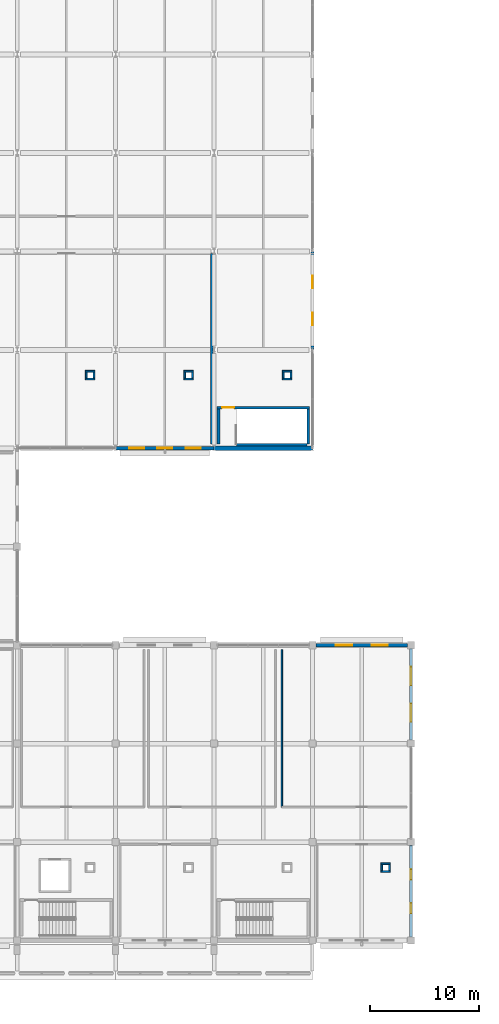
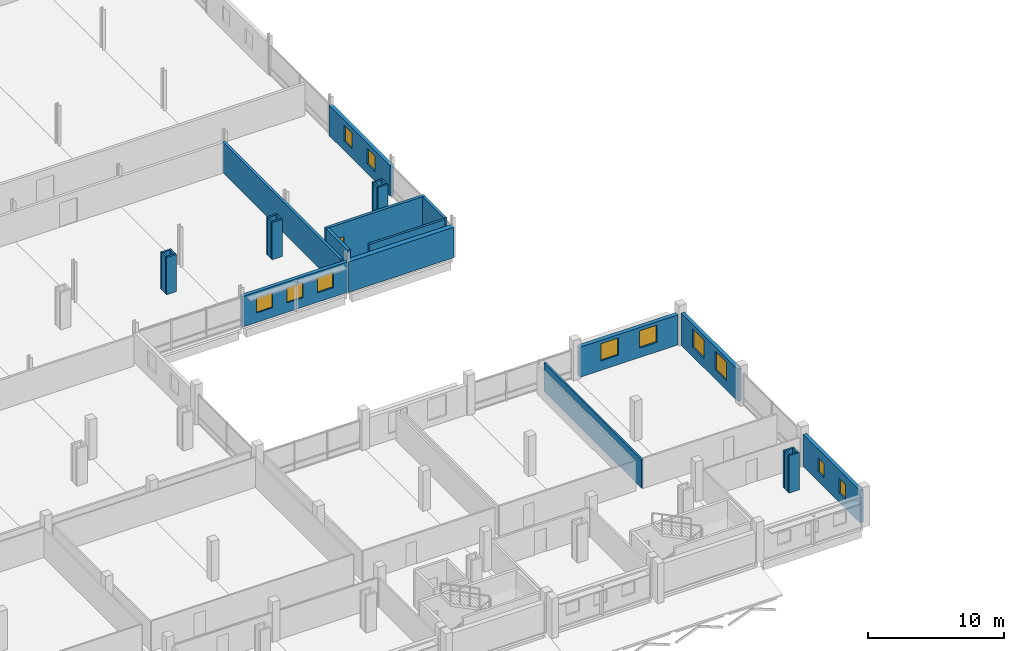
# One storey, part 105 of 132: 28 walls, 11 windows, 1 door, 12 openings.
"""IFC4 building model written with IfcOpenShell, lengths in metres."""

from ifc_helpers import new_model, si_unit, direction, frame, frame_2d, origin, place, context, subcontext, project, spatial, rectangle, extrude, material, layer, layer_set, type_object, element, fill, save


model = new_model("IFC4")

# Units and contexts
model_context = context("Model", 3, precision=1e-05, world=origin(), true_north=direction((0.0, 1.0)))
body_context = subcontext(model_context, "Body", "Model", "MODEL_VIEW")
ifc_project = project(units=[si_unit("LENGTHUNIT", "METRE"), si_unit("AREAUNIT", "SQUARE_METRE"), si_unit("VOLUMEUNIT", "CUBIC_METRE"), si_unit("PLANEANGLEUNIT", "RADIAN"), si_unit("MASSUNIT", "GRAM", prefix="KILO")], contexts=[model_context])

# Site, building, storey
site_placement = place(None, origin())
site = spatial("IfcSite", under=ifc_project, at=site_placement, CompositionType="ELEMENT")
building_placement = place(site_placement, origin())
building = spatial("IfcBuilding", under=site, at=building_placement, Name="Tharagai Park Tramway Depot", CompositionType="ELEMENT")
storey_placement = place(building_placement, frame((0.0, 0.0, 4.800048828125)))
storey = spatial("IfcBuildingStorey", under=building, at=storey_placement, Name="L01", CompositionType="ELEMENT", Elevation=4.800048828125)

# Wall, openings, windows
ifc_material_1 = material(Name="Pressed clay brick", Category="masonry")
ifc_layer_1 = layer(ifc_material_1, 0.340087890625)
ifc_layer_set_1 = layer_set([ifc_layer_1], Name="Pressed clay brick")
wall_type_1 = type_object("IfcWallType", Name="EW-04", PredefinedType="SOLIDWALL", material=ifc_layer_set_1)
wall_1_placement = place(storey_placement, frame((90.322998046875, 27.0, 0.0), z_axis=(0.0, 0.0, 1.0), x_axis=(1.0, 0.0, 0.0)))
wall_1 = element("IfcWall", 1, at=wall_1_placement, inside=storey, type_object=wall_type_1, Name="L01 V4 Exterior Masonry Wall EW-04", PredefinedType="SOLIDWALL", context=body_context, shape_type="SweptSolid", body=[
    extrude(rectangle(XDim=8.35400390625, YDim=0.340087890625, at=frame_2d((4.177001953125, 0.0))), origin(), (0.0, 0.0, 1.0), 2.701904296875),
])
opening_1_placement = place(wall_1_placement, frame((1.784912109375, 0.0, 0.85009765625)))
opening_1 = element("IfcOpeningElement", 2, at=opening_1_placement, cuts=wall_1, Name="Opening WN-20", PredefinedType="OPENING", context=body_context, shape_type="SweptSolid", body=[
    extrude(rectangle(XDim=1.5, YDim=1.550048828125, at=frame_2d((0.75, 0.77490234375))), frame((0.0, 0.179931640625, 0.0), z_axis=(0.0, -1.0, 0.0), x_axis=(1.0, 0.0, 0.0)), (0.0, 0.0, 1.0), 0.360107421875),
])
opening_2_placement = place(wall_1_placement, frame((5.069091796875, 0.0, 0.85009765625)))
opening_2 = element("IfcOpeningElement", 3, at=opening_2_placement, cuts=wall_1, Name="Opening WN-20", PredefinedType="OPENING", context=body_context, shape_type="SweptSolid", body=[
    extrude(rectangle(XDim=1.5, YDim=1.550048828125, at=frame_2d((0.75, 0.77490234375))), frame((0.0, 0.179931640625, 0.0), z_axis=(0.0, -1.0, 0.0), x_axis=(1.0, 0.0, 0.0)), (0.0, 0.0, 1.0), 0.360107421875),
])
ifc_material_2 = material(Name="Laminated solar-control glass", Category="glass")
window_type_1 = type_object("IfcWindowType", Name="WN-20", PartitioningType="SINGLE_PANEL", PredefinedType="WINDOW", material=ifc_material_2)
window_1_placement = place(opening_1_placement, origin())
window_1 = element("IfcWindow", 4, at=window_1_placement, inside=storey, type_object=window_type_1, Name="L01 V4 Gothic Lancet Window WN-20", OverallHeight=1.550048828125, OverallWidth=1.5, PartitioningType="SINGLE_PANEL", PredefinedType="WINDOW", context=body_context, shape_type="SweptSolid", body=[
    extrude(rectangle(XDim=1.5, YDim=1.550048828125, at=frame_2d((0.75, 0.77490234375))), frame((0.0, 0.030029296875, 0.0), z_axis=(0.0, -1.0, 0.0), x_axis=(1.0, 0.0, 0.0)), (0.0, 0.0, 1.0), 0.06005859375),
])
fill(opening_1, window_1)
window_2_placement = place(opening_2_placement, origin())
window_2 = element("IfcWindow", 5, at=window_2_placement, inside=storey, type_object=window_type_1, Name="L01 V4 Gothic Lancet Window WN-20", OverallHeight=1.550048828125, OverallWidth=1.5, PartitioningType="SINGLE_PANEL", PredefinedType="WINDOW", context=body_context, shape_type="SweptSolid", body=[
    extrude(rectangle(XDim=1.5, YDim=1.550048828125, at=frame_2d((0.75, 0.77490234375))), frame((0.0, 0.030029296875, 0.0), z_axis=(0.0, -1.0, 0.0), x_axis=(1.0, 0.0, 0.0)), (0.0, 0.0, 1.0), 0.06005859375),
])
fill(opening_2, window_2)

# Wall
ifc_material_3 = material(Name="Charnockite stone", Category="masonry")
ifc_layer_2 = layer(ifc_material_3, 0.419921875)
ifc_layer_set_2 = layer_set([ifc_layer_2], Name="Charnockite stone")
wall_type_2 = type_object("IfcWallType", Name="EW-07", PredefinedType="SOLIDWALL", material=ifc_layer_set_2)
wall_2_placement = place(storey_placement, frame((81.00390625, 45.0, 0.0), z_axis=(0.0, 0.0, 1.0), x_axis=(1.0, 0.0, 0.0)))
element("IfcWall", 6, at=wall_2_placement, inside=storey, type_object=wall_type_2, Name="L01 V2 Exterior Masonry Wall EW-07", PredefinedType="SOLIDWALL", context=body_context, shape_type="SweptSolid", body=[
    extrude(rectangle(XDim=8.9921875, YDim=0.419921875, at=frame_2d((4.49609375, 0.0))), origin(), (0.0, 0.0, 1.0), 2.741943359375),
])

# Wall, openings, windows
ifc_layer_3 = layer(ifc_material_1, 0.300048828125)
ifc_layer_set_3 = layer_set([ifc_layer_3], Name="Pressed clay brick")
wall_type_3 = type_object("IfcWallType", Name="EW-08", PredefinedType="SOLIDWALL", material=ifc_layer_set_3)
wall_3_placement = place(storey_placement, frame((72.00390625, 45.0, 0.0), z_axis=(0.0, 0.0, 1.0), x_axis=(1.0, 0.0, 0.0)))
wall_3 = element("IfcWall", 7, at=wall_3_placement, inside=storey, type_object=wall_type_3, Name="L01 V2 Exterior Masonry Wall EW-08", PredefinedType="SOLIDWALL", context=body_context, shape_type="SweptSolid", body=[
    extrude(rectangle(XDim=8.9921875, YDim=0.300048828125, at=frame_2d((4.49609375, 0.0))), origin(), (0.0, 0.0, 1.0), 2.741943359375),
])
opening_3_placement = place(wall_3_placement, frame((1.22802734375, 0.0, 0.85009765625)))
opening_3 = element("IfcOpeningElement", 8, at=opening_3_placement, cuts=wall_3, Name="Opening WN-41", PredefinedType="OPENING", context=body_context, shape_type="SweptSolid", body=[
    extrude(rectangle(XDim=1.360107421875, YDim=1.3798828125, at=frame_2d((0.68017578125, 0.68994140625))), frame((0.0, 0.159912109375, 0.0), z_axis=(0.0, -1.0, 0.0), x_axis=(1.0, 0.0, 0.0)), (0.0, 0.0, 1.0), 0.320068359375),
])
opening_4_placement = place(wall_3_placement, frame((3.81591796875, 0.0, 0.85009765625)))
opening_4 = element("IfcOpeningElement", 9, at=opening_4_placement, cuts=wall_3, Name="Opening WN-41", PredefinedType="OPENING", context=body_context, shape_type="SweptSolid", body=[
    extrude(rectangle(XDim=1.360107421875, YDim=1.3798828125, at=frame_2d((0.68017578125, 0.68994140625))), frame((0.0, 0.159912109375, 0.0), z_axis=(0.0, -1.0, 0.0), x_axis=(1.0, 0.0, 0.0)), (0.0, 0.0, 1.0), 0.320068359375),
])
opening_5_placement = place(wall_3_placement, frame((6.404052734375, 0.0, 0.85009765625)))
opening_5 = element("IfcOpeningElement", 10, at=opening_5_placement, cuts=wall_3, Name="Opening WN-41", PredefinedType="OPENING", context=body_context, shape_type="SweptSolid", body=[
    extrude(rectangle(XDim=1.360107421875, YDim=1.3798828125, at=frame_2d((0.68017578125, 0.68994140625))), frame((0.0, 0.159912109375, 0.0), z_axis=(0.0, -1.0, 0.0), x_axis=(1.0, 0.0, 0.0)), (0.0, 0.0, 1.0), 0.320068359375),
])
window_type_2 = type_object("IfcWindowType", Name="WN-41", PartitioningType="SINGLE_PANEL", PredefinedType="WINDOW", material=ifc_material_2)
window_3_placement = place(opening_3_placement, origin())
window_3 = element("IfcWindow", 11, at=window_3_placement, inside=storey, type_object=window_type_2, Name="L01 V2 Gothic Lancet Window WN-41", OverallHeight=1.3798828125, OverallWidth=1.360107421875, PartitioningType="SINGLE_PANEL", PredefinedType="WINDOW", context=body_context, shape_type="SweptSolid", body=[
    extrude(rectangle(XDim=1.360107421875, YDim=1.3798828125, at=frame_2d((0.68017578125, 0.68994140625))), frame((0.0, 0.030029296875, 0.0), z_axis=(0.0, -1.0, 0.0), x_axis=(1.0, 0.0, 0.0)), (0.0, 0.0, 1.0), 0.06005859375),
])
fill(opening_3, window_3)
window_4_placement = place(opening_4_placement, origin())
window_4 = element("IfcWindow", 12, at=window_4_placement, inside=storey, type_object=window_type_2, Name="L01 V2 Gothic Lancet Window WN-41", OverallHeight=1.3798828125, OverallWidth=1.360107421875, PartitioningType="SINGLE_PANEL", PredefinedType="WINDOW", context=body_context, shape_type="SweptSolid", body=[
    extrude(rectangle(XDim=1.360107421875, YDim=1.3798828125, at=frame_2d((0.68017578125, 0.68994140625))), frame((0.0, 0.030029296875, 0.0), z_axis=(0.0, -1.0, 0.0), x_axis=(1.0, 0.0, 0.0)), (0.0, 0.0, 1.0), 0.06005859375),
])
fill(opening_4, window_4)
window_5_placement = place(opening_5_placement, origin())
window_5 = element("IfcWindow", 13, at=window_5_placement, inside=storey, type_object=window_type_2, Name="L01 V2 Gothic Lancet Window WN-41", OverallHeight=1.3798828125, OverallWidth=1.360107421875, PartitioningType="SINGLE_PANEL", PredefinedType="WINDOW", context=body_context, shape_type="SweptSolid", body=[
    extrude(rectangle(XDim=1.360107421875, YDim=1.3798828125, at=frame_2d((0.68017578125, 0.68994140625))), frame((0.0, 0.030029296875, 0.0), z_axis=(0.0, -1.0, 0.0), x_axis=(1.0, 0.0, 0.0)), (0.0, 0.0, 1.0), 0.06005859375),
])
fill(opening_5, window_5)

wall_4_placement = place(storey_placement, frame((90.0, 54.00390625, 0.0), z_axis=(0.0, 0.0, 1.0), x_axis=(0.0, 1.0, 0.0)))
wall_4 = element("IfcWall", 14, at=wall_4_placement, inside=storey, type_object=wall_type_3, Name="L01 V2 Exterior Masonry Wall EW-08", PredefinedType="SOLIDWALL", context=body_context, shape_type="SweptSolid", body=[
    extrude(rectangle(XDim=8.9921875, YDim=0.300048828125, at=frame_2d((4.49609375, 0.0))), origin(), (0.0, 0.0, 1.0), 2.741943359375),
])
opening_6_placement = place(wall_4_placement, frame((2.22412109375, 0.0, 0.85009765625)))
opening_6 = element("IfcOpeningElement", 15, at=opening_6_placement, cuts=wall_4, Name="Opening WN-42", PredefinedType="OPENING", context=body_context, shape_type="SweptSolid", body=[
    extrude(rectangle(XDim=1.159912109375, YDim=1.39990234375, at=frame_2d((0.580078125, 0.699951171875))), frame((0.0, 0.159912109375, 0.0), z_axis=(0.0, -1.0, 0.0), x_axis=(1.0, 0.0, 0.0)), (0.0, 0.0, 1.0), 0.320068359375),
])
opening_7_placement = place(wall_4_placement, frame((5.60791015625, 0.0, 0.85009765625)))
opening_7 = element("IfcOpeningElement", 16, at=opening_7_placement, cuts=wall_4, Name="Opening WN-42", PredefinedType="OPENING", context=body_context, shape_type="SweptSolid", body=[
    extrude(rectangle(XDim=1.159912109375, YDim=1.39990234375, at=frame_2d((0.580078125, 0.699951171875))), frame((0.0, 0.159912109375, 0.0), z_axis=(0.0, -1.0, 0.0), x_axis=(1.0, 0.0, 0.0)), (0.0, 0.0, 1.0), 0.320068359375),
])
window_type_3 = type_object("IfcWindowType", Name="WN-42", PartitioningType="SINGLE_PANEL", PredefinedType="WINDOW", material=ifc_material_2)
window_6_placement = place(opening_6_placement, origin())
window_6 = element("IfcWindow", 17, at=window_6_placement, inside=storey, type_object=window_type_3, Name="L01 V2 Side Lancet Window WN-42", OverallHeight=1.39990234375, OverallWidth=1.159912109375, PartitioningType="SINGLE_PANEL", PredefinedType="WINDOW", context=body_context, shape_type="SweptSolid", body=[
    extrude(rectangle(XDim=1.159912109375, YDim=1.39990234375, at=frame_2d((0.580078125, 0.699951171875))), frame((0.0, 0.030029296875, 0.0), z_axis=(0.0, -1.0, 0.0), x_axis=(1.0, 0.0, 0.0)), (0.0, 0.0, 1.0), 0.06005859375),
])
fill(opening_6, window_6)
window_7_placement = place(opening_7_placement, origin())
window_7 = element("IfcWindow", 18, at=window_7_placement, inside=storey, type_object=window_type_3, Name="L01 V2 Side Lancet Window WN-42", OverallHeight=1.39990234375, OverallWidth=1.159912109375, PartitioningType="SINGLE_PANEL", PredefinedType="WINDOW", context=body_context, shape_type="SweptSolid", body=[
    extrude(rectangle(XDim=1.159912109375, YDim=1.39990234375, at=frame_2d((0.580078125, 0.699951171875))), frame((0.0, 0.030029296875, 0.0), z_axis=(0.0, -1.0, 0.0), x_axis=(1.0, 0.0, 0.0)), (0.0, 0.0, 1.0), 0.06005859375),
])
fill(opening_7, window_7)

wall_5_placement = place(storey_placement, frame((99.0, 0.322998046875, 0.0), z_axis=(0.0, 0.0, 1.0), x_axis=(0.0, 1.0, 0.0)))
wall_5 = element("IfcWall", 19, at=wall_5_placement, inside=storey, type_object=wall_type_3, Name="L01 V4 Exterior Masonry Wall EW-08", PredefinedType="SOLIDWALL", context=body_context, shape_type="SweptSolid", body=[
    extrude(rectangle(XDim=8.35400390625, YDim=0.300048828125, at=frame_2d((4.177001953125, 0.0))), origin(), (0.0, 0.0, 1.0), 2.90185546875),
])
opening_8_placement = place(wall_5_placement, frame((2.157958984375, 0.0, 0.85009765625)))
opening_8 = element("IfcOpeningElement", 20, at=opening_8_placement, cuts=wall_5, Name="Opening WN-45", PredefinedType="OPENING", context=body_context, shape_type="SweptSolid", body=[
    extrude(rectangle(XDim=0.93994140625, YDim=1.280029296875, at=frame_2d((0.469970703125, 0.64013671875))), frame((0.0, 0.159912109375, 0.0), z_axis=(0.0, -1.0, 0.0), x_axis=(1.0, 0.0, 0.0)), (0.0, 0.0, 1.0), 0.320068359375),
])
opening_9_placement = place(wall_5_placement, frame((5.256103515625, 0.0, 0.85009765625)))
opening_9 = element("IfcOpeningElement", 21, at=opening_9_placement, cuts=wall_5, Name="Opening WN-45", PredefinedType="OPENING", context=body_context, shape_type="SweptSolid", body=[
    extrude(rectangle(XDim=0.93994140625, YDim=1.280029296875, at=frame_2d((0.469970703125, 0.64013671875))), frame((0.0, 0.159912109375, 0.0), z_axis=(0.0, -1.0, 0.0), x_axis=(1.0, 0.0, 0.0)), (0.0, 0.0, 1.0), 0.320068359375),
])
window_type_4 = type_object("IfcWindowType", Name="WN-45", PartitioningType="SINGLE_PANEL", PredefinedType="WINDOW", material=ifc_material_2)
window_8_placement = place(opening_8_placement, origin())
window_8 = element("IfcWindow", 22, at=window_8_placement, inside=storey, type_object=window_type_4, Name="L01 V4 Side Lancet Window WN-45", OverallHeight=1.280029296875, OverallWidth=0.93994140625, PartitioningType="SINGLE_PANEL", PredefinedType="WINDOW", context=body_context, shape_type="SweptSolid", body=[
    extrude(rectangle(XDim=0.93994140625, YDim=1.280029296875, at=frame_2d((0.469970703125, 0.64013671875))), frame((0.0, 0.030029296875, 0.0), z_axis=(0.0, -1.0, 0.0), x_axis=(1.0, 0.0, 0.0)), (0.0, 0.0, 1.0), 0.06005859375),
])
fill(opening_8, window_8)
window_9_placement = place(opening_9_placement, origin())
window_9 = element("IfcWindow", 23, at=window_9_placement, inside=storey, type_object=window_type_4, Name="L01 V4 Side Lancet Window WN-45", OverallHeight=1.280029296875, OverallWidth=0.93994140625, PartitioningType="SINGLE_PANEL", PredefinedType="WINDOW", context=body_context, shape_type="SweptSolid", body=[
    extrude(rectangle(XDim=0.93994140625, YDim=1.280029296875, at=frame_2d((0.469970703125, 0.64013671875))), frame((0.0, 0.030029296875, 0.0), z_axis=(0.0, -1.0, 0.0), x_axis=(1.0, 0.0, 0.0)), (0.0, 0.0, 1.0), 0.06005859375),
])
fill(opening_9, window_9)

wall_6_placement = place(storey_placement, frame((99.0, 18.322998046875, 0.0), z_axis=(0.0, 0.0, 1.0), x_axis=(0.0, 1.0, 0.0)))
wall_6 = element("IfcWall", 24, at=wall_6_placement, inside=storey, type_object=wall_type_3, Name="L01 V4 Exterior Masonry Wall EW-08", PredefinedType="SOLIDWALL", context=body_context, shape_type="SweptSolid", body=[
    extrude(rectangle(XDim=8.35400390625, YDim=0.300048828125, at=frame_2d((4.177001953125, 0.0))), origin(), (0.0, 0.0, 1.0), 2.90185546875),
])
opening_10_placement = place(wall_6_placement, frame((1.6650390625, 0.0, 0.85009765625)))
opening_10 = element("IfcOpeningElement", 25, at=opening_10_placement, cuts=wall_6, Name="Opening WN-38", PredefinedType="OPENING", context=body_context, shape_type="SweptSolid", body=[
    extrude(rectangle(XDim=1.679931640625, YDim=1.659912109375, at=frame_2d((0.83984375, 0.830078125))), frame((0.0, 0.159912109375, 0.0), z_axis=(0.0, -1.0, 0.0), x_axis=(1.0, 0.0, 0.0)), (0.0, 0.0, 1.0), 0.320068359375),
])
opening_11_placement = place(wall_6_placement, frame((5.009033203125, 0.0, 0.85009765625)))
opening_11 = element("IfcOpeningElement", 26, at=opening_11_placement, cuts=wall_6, Name="Opening WN-38", PredefinedType="OPENING", context=body_context, shape_type="SweptSolid", body=[
    extrude(rectangle(XDim=1.679931640625, YDim=1.659912109375, at=frame_2d((0.83984375, 0.830078125))), frame((0.0, 0.159912109375, 0.0), z_axis=(0.0, -1.0, 0.0), x_axis=(1.0, 0.0, 0.0)), (0.0, 0.0, 1.0), 0.320068359375),
])
window_type_5 = type_object("IfcWindowType", Name="WN-38", PartitioningType="SINGLE_PANEL", PredefinedType="WINDOW", material=ifc_material_2)
window_10_placement = place(opening_10_placement, origin())
window_10 = element("IfcWindow", 27, at=window_10_placement, inside=storey, type_object=window_type_5, Name="L01 V4 Side Lancet Window WN-38", OverallHeight=1.659912109375, OverallWidth=1.679931640625, PartitioningType="SINGLE_PANEL", PredefinedType="WINDOW", context=body_context, shape_type="SweptSolid", body=[
    extrude(rectangle(XDim=1.679931640625, YDim=1.659912109375, at=frame_2d((0.83984375, 0.830078125))), frame((0.0, 0.030029296875, 0.0), z_axis=(0.0, -1.0, 0.0), x_axis=(1.0, 0.0, 0.0)), (0.0, 0.0, 1.0), 0.06005859375),
])
fill(opening_10, window_10)
window_11_placement = place(opening_11_placement, origin())
window_11 = element("IfcWindow", 28, at=window_11_placement, inside=storey, type_object=window_type_5, Name="L01 V4 Side Lancet Window WN-38", OverallHeight=1.659912109375, OverallWidth=1.679931640625, PartitioningType="SINGLE_PANEL", PredefinedType="WINDOW", context=body_context, shape_type="SweptSolid", body=[
    extrude(rectangle(XDim=1.679931640625, YDim=1.659912109375, at=frame_2d((0.83984375, 0.830078125))), frame((0.0, 0.030029296875, 0.0), z_axis=(0.0, -1.0, 0.0), x_axis=(1.0, 0.0, 0.0)), (0.0, 0.0, 1.0), 0.06005859375),
])
fill(opening_11, window_11)

# Walls
ifc_layer_4 = layer(ifc_material_1, 0.139892578125)
ifc_layer_set_4 = layer_set([ifc_layer_4], Name="Pressed clay brick")
wall_type_4 = type_object("IfcWallType", Name="IW-01", PredefinedType="PARTITIONING", material=ifc_layer_set_4)
wall_7_placement = place(storey_placement, frame((87.199951171875, 12.199951171875, 0.0), z_axis=(0.0, 0.0, 1.0), x_axis=(0.0, 1.0, 0.0)))
element("IfcWall", 29, at=wall_7_placement, inside=storey, type_object=wall_type_4, Name="First Floor Accessible WC Partition West", PredefinedType="PARTITIONING", context=body_context, shape_type="SweptSolid", body=[
    extrude(rectangle(XDim=14.400146484375, YDim=0.139892578125, at=frame_2d((7.2001953125, 0.0))), origin(), (0.0, 0.0, 1.0), 2.594970703125),
])
ifc_layer_5 = layer(ifc_material_1, 0.159912109375)
ifc_layer_set_5 = layer_set([ifc_layer_5], Name="Pressed clay brick")
wall_type_5 = type_object("IfcWallType", Name="IW-02", PredefinedType="PARTITIONING", material=ifc_layer_set_5)
for number, where, z_axis, x_axis, name in (
    (30, (69.239990234375, 51.320068359375, 0.0), (0.0, 0.0, 1.0), (1.0, 0.0, 0.0), "L01 Pipe Riser Enclosure Wall 7 S"),
    (31, (69.239990234375, 52.030029296875, 0.0), (0.0, 0.0, 1.0), (1.0, 0.0, 0.0), "L01 Pipe Riser Enclosure Wall 7 N"),
):
    element("IfcWall", number, at=place(storey_placement, frame(where, z_axis=z_axis, x_axis=x_axis)), inside=storey, type_object=wall_type_5, Name=name, PredefinedType="PARTITIONING", context=body_context, shape_type="SweptSolid", body=[
        extrude(rectangle(XDim=0.8701171875, YDim=0.159912109375, at=frame_2d((0.43505859375, 0.0))), origin(), (0.0, 0.0, 1.0), 3.349853515625),
    ])
for number, where, z_axis, x_axis, name in (
    (32, (69.320068359375, 51.39990234375, 0.0), (0.0, 0.0, 1.0), (0.0, 1.0, 0.0), "L01 Pipe Riser Enclosure Wall 7 W"),
    (33, (70.030029296875, 51.39990234375, 0.0), (0.0, 0.0, 1.0), (0.0, 1.0, 0.0), "L01 Pipe Riser Enclosure Wall 7 E"),
):
    element("IfcWall", number, at=place(storey_placement, frame(where, z_axis=z_axis, x_axis=x_axis)), inside=storey, type_object=wall_type_5, Name=name, PredefinedType="PARTITIONING", context=body_context, shape_type="SweptSolid", body=[
        extrude(rectangle(XDim=0.550048828125, YDim=0.159912109375, at=frame_2d((0.27490234375, 0.0))), origin(), (0.0, 0.0, 1.0), 3.349853515625),
    ])
for number, where, z_axis, x_axis, name in (
    (34, (78.239990234375, 51.320068359375, 0.0), (0.0, 0.0, 1.0), (1.0, 0.0, 0.0), "L01 Pipe Riser Enclosure Wall 8 S"),
    (35, (78.239990234375, 52.030029296875, 0.0), (0.0, 0.0, 1.0), (1.0, 0.0, 0.0), "L01 Pipe Riser Enclosure Wall 8 N"),
):
    element("IfcWall", number, at=place(storey_placement, frame(where, z_axis=z_axis, x_axis=x_axis)), inside=storey, type_object=wall_type_5, Name=name, PredefinedType="PARTITIONING", context=body_context, shape_type="SweptSolid", body=[
        extrude(rectangle(XDim=0.8701171875, YDim=0.159912109375, at=frame_2d((0.43505859375, 0.0))), origin(), (0.0, 0.0, 1.0), 3.349853515625),
    ])
for number, where, z_axis, x_axis, name in (
    (36, (78.320068359375, 51.39990234375, 0.0), (0.0, 0.0, 1.0), (0.0, 1.0, 0.0), "L01 Pipe Riser Enclosure Wall 8 W"),
    (37, (79.030029296875, 51.39990234375, 0.0), (0.0, 0.0, 1.0), (0.0, 1.0, 0.0), "L01 Pipe Riser Enclosure Wall 8 E"),
):
    element("IfcWall", number, at=place(storey_placement, frame(where, z_axis=z_axis, x_axis=x_axis)), inside=storey, type_object=wall_type_5, Name=name, PredefinedType="PARTITIONING", context=body_context, shape_type="SweptSolid", body=[
        extrude(rectangle(XDim=0.550048828125, YDim=0.159912109375, at=frame_2d((0.27490234375, 0.0))), origin(), (0.0, 0.0, 1.0), 3.349853515625),
    ])
for number, where, z_axis, x_axis, name in (
    (38, (87.239990234375, 51.320068359375, 0.0), (0.0, 0.0, 1.0), (1.0, 0.0, 0.0), "L01 Pipe Riser Enclosure Wall 9 S"),
    (39, (87.239990234375, 52.030029296875, 0.0), (0.0, 0.0, 1.0), (1.0, 0.0, 0.0), "L01 Pipe Riser Enclosure Wall 9 N"),
):
    element("IfcWall", number, at=place(storey_placement, frame(where, z_axis=z_axis, x_axis=x_axis)), inside=storey, type_object=wall_type_5, Name=name, PredefinedType="PARTITIONING", context=body_context, shape_type="SweptSolid", body=[
        extrude(rectangle(XDim=0.8701171875, YDim=0.159912109375, at=frame_2d((0.43505859375, 0.0))), origin(), (0.0, 0.0, 1.0), 3.349853515625),
    ])
for number, where, z_axis, x_axis, name in (
    (40, (87.320068359375, 51.39990234375, 0.0), (0.0, 0.0, 1.0), (0.0, 1.0, 0.0), "L01 Pipe Riser Enclosure Wall 9 W"),
    (41, (88.030029296875, 51.39990234375, 0.0), (0.0, 0.0, 1.0), (0.0, 1.0, 0.0), "L01 Pipe Riser Enclosure Wall 9 E"),
):
    element("IfcWall", number, at=place(storey_placement, frame(where, z_axis=z_axis, x_axis=x_axis)), inside=storey, type_object=wall_type_5, Name=name, PredefinedType="PARTITIONING", context=body_context, shape_type="SweptSolid", body=[
        extrude(rectangle(XDim=0.550048828125, YDim=0.159912109375, at=frame_2d((0.27490234375, 0.0))), origin(), (0.0, 0.0, 1.0), 3.349853515625),
    ])
for number, where, z_axis, x_axis, name in (
    (42, (96.239990234375, 6.320068359375, 0.0), (0.0, 0.0, 1.0), (1.0, 0.0, 0.0), "L01 Pipe Riser Enclosure Wall 23 S"),
    (43, (96.239990234375, 7.030029296875, 0.0), (0.0, 0.0, 1.0), (1.0, 0.0, 0.0), "L01 Pipe Riser Enclosure Wall 23 N"),
):
    element("IfcWall", number, at=place(storey_placement, frame(where, z_axis=z_axis, x_axis=x_axis)), inside=storey, type_object=wall_type_5, Name=name, PredefinedType="PARTITIONING", context=body_context, shape_type="SweptSolid", body=[
        extrude(rectangle(XDim=0.8701171875, YDim=0.159912109375, at=frame_2d((0.43505859375, 0.0))), origin(), (0.0, 0.0, 1.0), 3.349853515625),
    ])
for number, where, z_axis, x_axis, name in (
    (44, (96.320068359375, 6.39990234375, 0.0), (0.0, 0.0, 1.0), (0.0, 1.0, 0.0), "L01 Pipe Riser Enclosure Wall 23 W"),
    (45, (97.030029296875, 6.39990234375, 0.0), (0.0, 0.0, 1.0), (0.0, 1.0, 0.0), "L01 Pipe Riser Enclosure Wall 23 E"),
):
    element("IfcWall", number, at=place(storey_placement, frame(where, z_axis=z_axis, x_axis=x_axis)), inside=storey, type_object=wall_type_5, Name=name, PredefinedType="PARTITIONING", context=body_context, shape_type="SweptSolid", body=[
        extrude(rectangle(XDim=0.550048828125, YDim=0.159912109375, at=frame_2d((0.27490234375, 0.0))), origin(), (0.0, 0.0, 1.0), 3.349853515625),
    ])
ifc_layer_6 = layer(ifc_material_1, 0.219970703125)
ifc_layer_set_6 = layer_set([ifc_layer_6], Name="Pressed clay brick")
wall_type_6 = type_object("IfcWallType", Name="IW-05", PredefinedType="SOLIDWALL", material=ifc_layer_set_6)
wall_8_placement = place(storey_placement, frame((80.800048828125, 45.39990234375, 0.0), z_axis=(0.0, 0.0, 1.0), x_axis=(0.0, 1.0, 0.0)))
element("IfcWall", 46, at=wall_8_placement, inside=storey, type_object=wall_type_6, Name="Traction Motor and Battery Workshop Partition East", PredefinedType="SOLIDWALL", context=body_context, shape_type="SweptSolid", body=[
    extrude(rectangle(XDim=17.400146484375, YDim=0.219970703125, at=frame_2d((8.7001953125, 0.0))), origin(), (0.0, 0.0, 1.0), 2.744873046875),
])

# Wall, opening, door
ifc_material_4 = material(Name="Concrete M40", Category="concrete")
ifc_layer_7 = layer(ifc_material_4, 0.239990234375)
ifc_layer_set_7 = layer_set([ifc_layer_7], Name="Concrete M40")
wall_type_7 = type_object("IfcWallType", Name="SW-01", PredefinedType="SHEAR", material=ifc_layer_set_7)
wall_9_placement = place(storey_placement, frame((81.280029296875, 48.7099609375, 0.0), z_axis=(0.0, 0.0, 1.0), x_axis=(1.0, 0.0, 0.0)))
wall_9 = element("IfcWall", 47, at=wall_9_placement, inside=storey, type_object=wall_type_7, Name="Core C9 L01 Shear Wall North", PredefinedType="SHEAR", context=body_context, shape_type="SweptSolid", body=[
    extrude(rectangle(XDim=8.43994140625, YDim=0.239990234375, at=frame_2d((4.219970703125, 0.0))), origin(), (0.0, 0.0, 1.0), 3.349853515625),
])
opening_12_placement = place(wall_9_placement, frame((0.4599609375, 0.0, 0.0)))
opening_12 = element("IfcOpeningElement", 48, at=opening_12_placement, cuts=wall_9, Name="Opening ID-05", PredefinedType="OPENING", context=body_context, shape_type="SweptSolid", body=[
    extrude(rectangle(XDim=1.080078125, YDim=2.080078125, at=frame_2d((0.5400390625, 1.0400390625))), frame((0.0, 0.1298828125, 0.0), z_axis=(0.0, -1.0, 0.0), x_axis=(1.0, 0.0, 0.0)), (0.0, 0.0, 1.0), 0.260009765625),
])
ifc_material_5 = material(Name="Galvanised steel", Category="steel")
door_type = type_object("IfcDoorType", Name="ID-05", OperationType="NOTDEFINED", PredefinedType="DOOR", material=ifc_material_5)
door_placement = place(opening_12_placement, frame((1.080078125, 0.0, 0.0), z_axis=(0.0, 0.0, 1.0), x_axis=(-1.0, 0.0, 0.0)))
door = element("IfcDoor", 49, at=door_placement, inside=storey, type_object=door_type, Name="Stair ST-09 L01 Fire Door", OperationType="SINGLE_SWING_RIGHT", OverallHeight=2.080078125, OverallWidth=1.080078125, PredefinedType="DOOR", context=body_context, shape_type="SweptSolid", body=[
    extrude(rectangle(XDim=1.080078125, YDim=2.080078125, at=frame_2d((0.5400390625, 1.0400390625))), frame((0.0, 0.02490234375, 0.0), z_axis=(0.0, -1.0, 0.0), x_axis=(1.0, 0.0, 0.0)), (0.0, 0.0, 1.0), 0.050048828125),
])
fill(opening_12, door)

# Walls
for number, where, z_axis, x_axis, name in (
    (50, (81.39990234375, 45.39990234375, 0.0), (0.0, 0.0, 1.0), (0.0, 1.0, 0.0), "Core C9 L01 Shear Wall West"),
    (51, (89.60009765625, 45.39990234375, 0.0), (0.0, 0.0, 1.0), (0.0, 1.0, 0.0), "Core C9 L01 Shear Wall East"),
):
    element("IfcWall", number, at=place(storey_placement, frame(where, z_axis=z_axis, x_axis=x_axis)), inside=storey, type_object=wall_type_7, Name=name, PredefinedType="SHEAR", context=body_context, shape_type="SweptSolid", body=[
        extrude(rectangle(XDim=3.190185546875, YDim=0.239990234375, at=frame_2d((1.59521484375, 0.0))), origin(), (0.0, 0.0, 1.0), 3.349853515625),
    ])
ifc_layer_8 = layer(ifc_material_4, 0.199951171875)
ifc_layer_set_8 = layer_set([ifc_layer_8], Name="Concrete M40")
wall_type_8 = type_object("IfcWallType", Name="SW-02", PredefinedType="SHEAR", material=ifc_layer_set_8)
wall_10_placement = place(storey_placement, frame((83.0400390625, 45.31494140625, 0.0), z_axis=(0.0, 0.0, 1.0), x_axis=(1.0, 0.0, 0.0)))
element("IfcWall", 52, at=wall_10_placement, inside=storey, type_object=wall_type_8, Name="Core C9 L01 Shear Bearing Liner South", PredefinedType="SHEAR", context=body_context, shape_type="SweptSolid", body=[
    extrude(rectangle(XDim=6.43994140625, YDim=0.199951171875, at=frame_2d((3.219970703125, 0.0))), origin(), (0.0, 0.0, 1.0), 3.349853515625),
])

save(model, "model.ifc")
